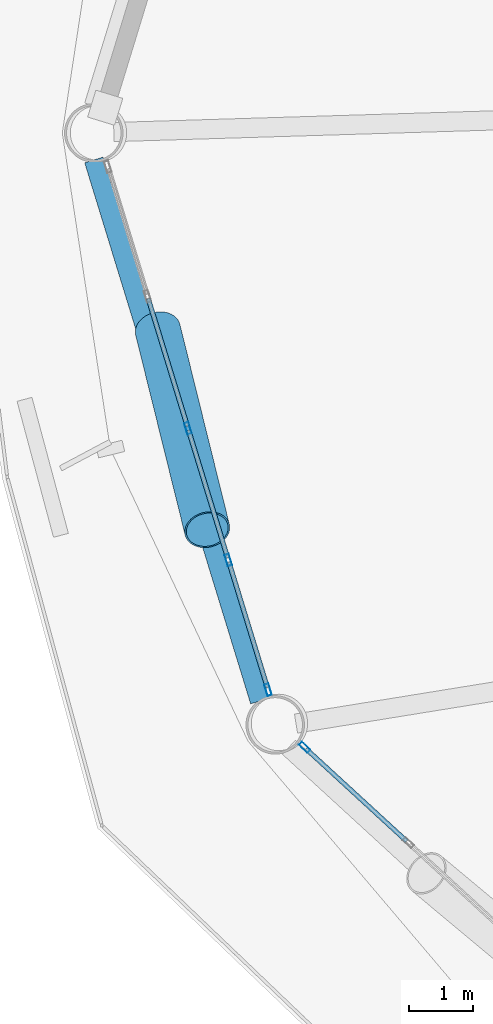
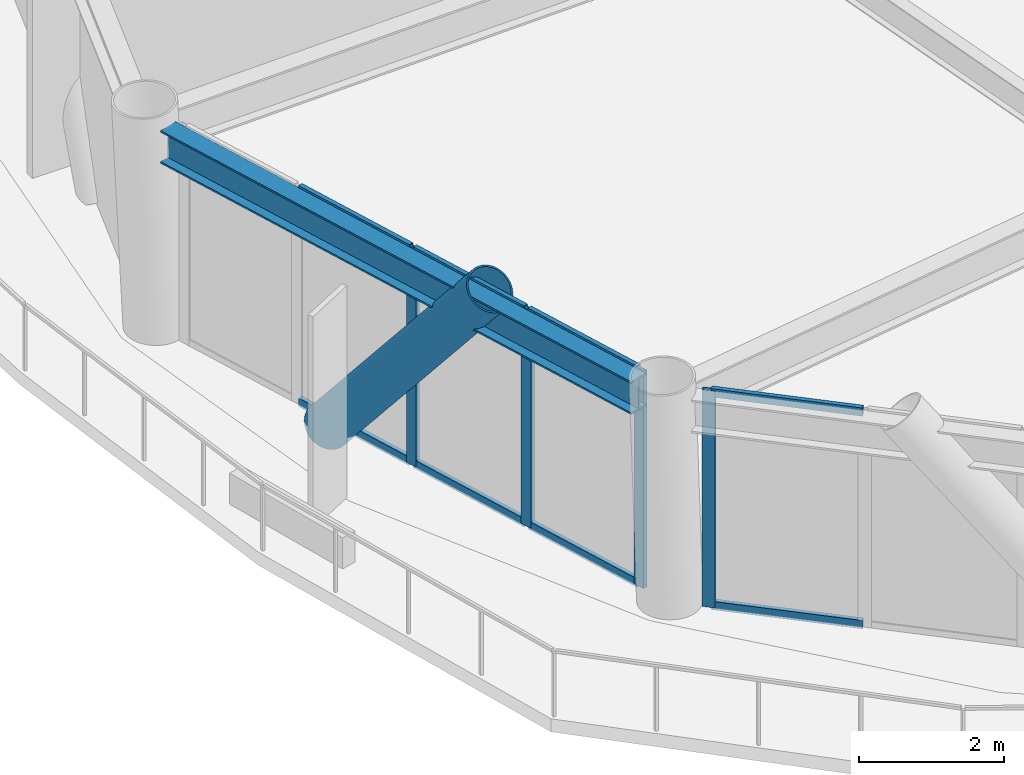
# One storey, part 4 of 23: 13 members, 1 beam, 2 elements without a shape of their own.
"""IFC4 building model written with IfcOpenShell, lengths in metres."""

from ifc_helpers import new_model, si_unit, direction, frame, origin, origin_2d, place, context, subcontext, project, spatial, hollow_rectangle, hollow_circle, i_section, extrude, material, layer, layer_set, material_profile, profile_set, type_object, element, aggregate, save


model = new_model("IFC4")

# Units and contexts
model_context = context("Model", 3, precision=1e-05, world=origin(), true_north=direction((0.0, 1.0)))
body_context = subcontext(model_context, "Body", "Model", "MODEL_VIEW")
ifc_project = project(units=[si_unit("LENGTHUNIT", "METRE"), si_unit("AREAUNIT", "SQUARE_METRE"), si_unit("VOLUMEUNIT", "CUBIC_METRE"), si_unit("PLANEANGLEUNIT", "RADIAN"), si_unit("MASSUNIT", "GRAM", prefix="KILO")], contexts=[model_context])

# Site, building, storey
site_placement = place(None, origin())
site = spatial("IfcSite", under=ifc_project, at=site_placement, CompositionType="ELEMENT")
building_placement = place(site_placement, origin())
building = spatial("IfcBuilding", under=site, at=building_placement, Name="Varnakorn Sky Granary", CompositionType="ELEMENT")
storey_placement = place(building_placement, frame((0.0, 0.0, 31.5)))
storey = spatial("IfcBuildingStorey", under=building, at=storey_placement, Name="L07", CompositionType="ELEMENT", Elevation=31.5)

# Beam
ifc_material_1 = material(Name="Steel S355JR", Category="steel")
ifc_material_profile_1 = material_profile(ifc_material_1, i_section(OverallWidth=0.300048828125, OverallDepth=0.550048828125, WebThickness=0.014892578125, FlangeThickness=0.029052734375, at=origin_2d()), Name="HE 550 B")
ifc_profile_set_1 = profile_set([ifc_material_profile_1], Name="Steel S355JR")
beam_type = type_object("IfcBeamType", Name="BM-SPD-Z1", PredefinedType="SPANDREL", material=ifc_profile_set_1)
beam_placement = place(storey_placement, frame((-21.79443359375, -0.422607421875, 3.364990234375), z_axis=(0.293218881503, -0.956045337591, 0.0), x_axis=(0.956045337591, 0.293218881503, 0.0)))
element("IfcBeam", 1, at=beam_placement, inside=storey, type_object=beam_type, Name="Perimeter Spandrel Ring Beam RB07 L07", PredefinedType="SPANDREL", context=body_context, shape_type="SweptSolid", body=[
    extrude(i_section(OverallWidth=0.300048828125, OverallDepth=0.550048828125, WebThickness=0.014892578125, FlangeThickness=0.029052734375, at=origin_2d()), origin(), (0.0, 0.0, 1.0), 8.8466796875),
])

# Curtain wall, members
ifc_material_2 = material(Name="Anodised Bronze Aluminium Alloy 6063-T6", Category="aluminium")
ifc_layer = layer(ifc_material_2, 0.18994140625, Name="Anodised Bronze Aluminium Alloy 6063-T6")
ifc_layer_set = layer_set([ifc_layer], Name="Anodised Bronze Aluminium Alloy 6063-T6")
curtain_wall_type = type_object("IfcCurtainWallType", Name="CW-FRM-1", PredefinedType="USERDEFINED", material=ifc_layer_set)
curtain_wall_1_placement = place(storey_placement, origin())
curtain_wall_1 = element("IfcCurtainWall", 2, at=curtain_wall_1_placement, inside=storey, type_object=curtain_wall_type, Name="Unitised Curtain Wall CW3 CW-L07-B07", ObjectType="CURTAIN WALL", PredefinedType="USERDEFINED")
ifc_material_profile_2 = material_profile(ifc_material_2, hollow_rectangle(XDim=0.070068359375, YDim=0.18505859375, WallThickness=0.00390625, at=origin_2d()), Name="ALU MULL 70x185")
ifc_profile_set_2 = profile_set([ifc_material_profile_2], Name="Anodised Bronze Aluminium Alloy 6063-T6")
member_type_1 = type_object("IfcMemberType", Name="CW-FRM-1-MULL", PredefinedType="MULLION", material=ifc_profile_set_2)
member_1_placement = place(storey_placement, frame((-19.071533203125, -8.70263671875, 0.0), z_axis=(0.0, 0.0, 1.0), x_axis=(-0.95612623849, -0.292954972771, 0.0)))
member_1 = element("IfcMember", 3, at=member_1_placement, type_object=member_type_1, Name="CW3 mullion 1", PredefinedType="MULLION", context=body_context, shape_type="SweptSolid", body=[
    extrude(hollow_rectangle(XDim=0.070068359375, YDim=0.18505859375, WallThickness=0.00390625, at=origin_2d()), origin(), (0.0, 0.0, 1.0), 3.639892578125),
])
member_2_placement = place(storey_placement, frame((-19.692626953125, -6.67578125, 0.0), z_axis=(0.0, 0.0, 1.0), x_axis=(-0.95612623849, -0.292954972771, 0.0)))
member_2 = element("IfcMember", 4, at=member_2_placement, type_object=member_type_1, Name="CW3 mullion 2", PredefinedType="MULLION", context=body_context, shape_type="SweptSolid", body=[
    extrude(hollow_rectangle(XDim=0.070068359375, YDim=0.18505859375, WallThickness=0.00390625, at=origin_2d()), origin(), (0.0, 0.0, 1.0), 3.639892578125),
])
member_3_placement = place(storey_placement, frame((-20.32373046875, -4.615234375, 0.0), z_axis=(0.0, 0.0, 1.0), x_axis=(-0.95612623849, -0.292954972771, 0.0)))
member_3 = element("IfcMember", 5, at=member_3_placement, type_object=member_type_1, Name="CW3 mullion 3", PredefinedType="MULLION", context=body_context, shape_type="SweptSolid", body=[
    extrude(hollow_rectangle(XDim=0.070068359375, YDim=0.18505859375, WallThickness=0.00390625, at=origin_2d()), origin(), (0.0, 0.0, 1.0), 3.639892578125),
])

# Curtain wall, member
curtain_wall_2_placement = place(storey_placement, origin())
curtain_wall_2 = element("IfcCurtainWall", 6, at=curtain_wall_2_placement, inside=storey, type_object=curtain_wall_type, Name="Unitised Curtain Wall CW3 CW-L07-B08", ObjectType="CURTAIN WALL", PredefinedType="USERDEFINED")
member_4_placement = place(storey_placement, frame((-18.503173828125, -9.603759765625, 0.0), z_axis=(0.0, 0.0, 1.0), x_axis=(-0.676386704621, -0.736546689499, 0.0)))
member_4 = element("IfcMember", 7, at=member_4_placement, type_object=member_type_1, Name="CW3 mullion 5", PredefinedType="MULLION", context=body_context, shape_type="SweptSolid", body=[
    extrude(hollow_rectangle(XDim=0.070068359375, YDim=0.18505859375, WallThickness=0.00390625, at=origin_2d()), origin(), (0.0, 0.0, 1.0), 3.639892578125),
])

# Member
ifc_material_profile_3 = material_profile(ifc_material_2, hollow_rectangle(XDim=0.070068359375, YDim=0.139892578125, WallThickness=0.00341796875, at=origin_2d()), Name="ALU TRAN 70x140")
ifc_profile_set_3 = profile_set([ifc_material_profile_3], Name="Anodised Bronze Aluminium Alloy 6063-T6")
member_type_2 = type_object("IfcMemberType", Name="CW-FRM-1-TRAN", PredefinedType="USERDEFINED", material=ifc_profile_set_3)
member_5_placement = place(storey_placement, frame((-19.081787109375, -8.669189453125, 0.034912109375), z_axis=(-0.29298093851, 0.956118282259, 0.0), x_axis=(-0.956118282259, -0.29298093851, 0.0)))
member_5 = element("IfcMember", 8, at=member_5_placement, type_object=member_type_2, Name="CW3 transom 1.1", ObjectType="TRANSOM", PredefinedType="USERDEFINED", context=body_context, shape_type="SweptSolid", body=[
    extrude(hollow_rectangle(XDim=0.070068359375, YDim=0.139892578125, WallThickness=0.00341796875, at=origin_2d()), origin(), (0.0, 0.0, 1.0), 2.0498046875),
])

member_6_placement = place(storey_placement, frame((-19.081787109375, -8.669189453125, 3.60498046875), z_axis=(-0.29298093851, 0.956118282259, 0.0), x_axis=(-0.956118282259, -0.29298093851, 0.0)))
member_6 = element("IfcMember", 9, at=member_6_placement, type_object=member_type_2, Name="CW3 transom 1.2", ObjectType="TRANSOM", PredefinedType="USERDEFINED", context=body_context, shape_type="SweptSolid", body=[
    extrude(hollow_rectangle(XDim=0.070068359375, YDim=0.139892578125, WallThickness=0.00341796875, at=origin_2d()), origin(), (0.0, 0.0, 1.0), 2.0498046875),
])

member_7_placement = place(storey_placement, frame((-19.702880859375, -6.642333984375, 0.034912109375), z_axis=(-0.292843175925, 0.956160485648, 0.0), x_axis=(-0.956160485648, -0.292843175925, 0.0)))
member_7 = element("IfcMember", 10, at=member_7_placement, type_object=member_type_2, Name="CW3 transom 2.1", ObjectType="TRANSOM", PredefinedType="USERDEFINED", context=body_context, shape_type="SweptSolid", body=[
    extrude(hollow_rectangle(XDim=0.070068359375, YDim=0.139892578125, WallThickness=0.00341796875, at=origin_2d()), origin(), (0.0, 0.0, 1.0), 2.0849609375),
])

member_8_placement = place(storey_placement, frame((-19.702880859375, -6.642333984375, 3.60498046875), z_axis=(-0.292843175925, 0.956160485648, 0.0), x_axis=(-0.956160485648, -0.292843175925, 0.0)))
member_8 = element("IfcMember", 11, at=member_8_placement, type_object=member_type_2, Name="CW3 transom 2.2", ObjectType="TRANSOM", PredefinedType="USERDEFINED", context=body_context, shape_type="SweptSolid", body=[
    extrude(hollow_rectangle(XDim=0.070068359375, YDim=0.139892578125, WallThickness=0.00341796875, at=origin_2d()), origin(), (0.0, 0.0, 1.0), 2.0849609375),
])

member_9_placement = place(storey_placement, frame((-20.333984375, -4.581787109375, 0.034912109375), z_axis=(-0.292950219514, 0.956127694864, 0.0), x_axis=(-0.956127694864, -0.292950219514, 0.0)))
member_9 = element("IfcMember", 12, at=member_9_placement, type_object=member_type_2, Name="CW3 transom 3.1", ObjectType="TRANSOM", PredefinedType="USERDEFINED", context=body_context, shape_type="SweptSolid", body=[
    extrude(hollow_rectangle(XDim=0.070068359375, YDim=0.139892578125, WallThickness=0.00341796875, at=origin_2d()), origin(), (0.0, 0.0, 1.0), 2.085205078125),
])

member_10_placement = place(storey_placement, frame((-20.333984375, -4.581787109375, 3.60498046875), z_axis=(-0.292950219514, 0.956127694864, 0.0), x_axis=(-0.956127694864, -0.292950219514, 0.0)))
member_10 = element("IfcMember", 13, at=member_10_placement, type_object=member_type_2, Name="CW3 transom 3.2", ObjectType="TRANSOM", PredefinedType="USERDEFINED", context=body_context, shape_type="SweptSolid", body=[
    extrude(hollow_rectangle(XDim=0.070068359375, YDim=0.139892578125, WallThickness=0.00341796875, at=origin_2d()), origin(), (0.0, 0.0, 1.0), 2.085205078125),
])

aggregate(curtain_wall_1, [member_1, member_2, member_3, member_5, member_6, member_7, member_8, member_9, member_10])

member_11_placement = place(storey_placement, frame((-16.905517578125, -11.071044921875, 0.034912109375), z_axis=(-0.736498483577, 0.676439194376, 0.0), x_axis=(-0.676439194376, -0.736498483577, 0.0)))
member_11 = element("IfcMember", 14, at=member_11_placement, type_object=member_type_2, Name="CW3 transom 4.1", ObjectType="TRANSOM", PredefinedType="USERDEFINED", context=body_context, shape_type="SweptSolid", body=[
    extrude(hollow_rectangle(XDim=0.070068359375, YDim=0.139892578125, WallThickness=0.00341796875, at=origin_2d()), origin(), (0.0, 0.0, 1.0), 2.134033203125),
])

member_12_placement = place(storey_placement, frame((-16.905517578125, -11.071044921875, 3.60498046875), z_axis=(-0.736498483577, 0.676439194376, 0.0), x_axis=(-0.676439194376, -0.736498483577, 0.0)))
member_12 = element("IfcMember", 15, at=member_12_placement, type_object=member_type_2, Name="CW3 transom 4.2", ObjectType="TRANSOM", PredefinedType="USERDEFINED", context=body_context, shape_type="SweptSolid", body=[
    extrude(hollow_rectangle(XDim=0.070068359375, YDim=0.139892578125, WallThickness=0.00341796875, at=origin_2d()), origin(), (0.0, 0.0, 1.0), 2.134033203125),
])

aggregate(curtain_wall_2, [member_4, member_11, member_12])

ifc_material_3 = material(Name="Steel S460M", Category="steel")
ifc_material_profile_4 = material_profile(ifc_material_3, hollow_circle(Radius=0.35546875, WallThickness=0.02490234375, at=origin_2d()), Name="CHS 711x25")
ifc_profile_set_4 = profile_set([ifc_material_profile_4], Name="Steel S460M")
member_type_3 = type_object("IfcMemberType", Name="MB-DIAG-T0", PredefinedType="BRACE", material=ifc_profile_set_4)
member_13_placement = place(storey_placement, frame((-20.795166015625, -3.076904296875, -0.1298828125), z_axis=(0.152431468073, -0.616079188926, 0.772794332609), x_axis=(0.970728501747, 0.240179466018, 0.0)))
element("IfcMember", 16, at=member_13_placement, inside=storey, type_object=member_type_3, Name="Perimeter CHS Diagrid Brace DG07 L07", PredefinedType="BRACE", context=body_context, shape_type="SweptSolid", body=[
    extrude(hollow_circle(Radius=0.35546875, WallThickness=0.02490234375, at=origin_2d()), origin(), (0.0, 0.0, 1.0), 5.072509765625),
])

save(model, "model.ifc")
